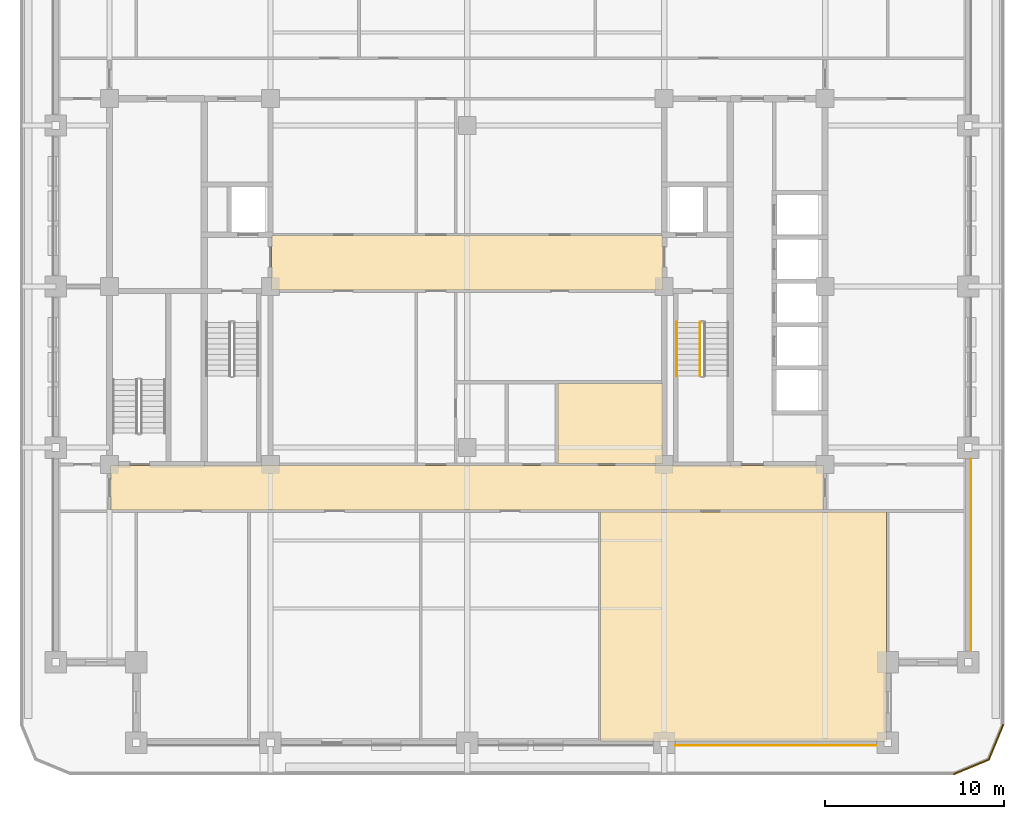
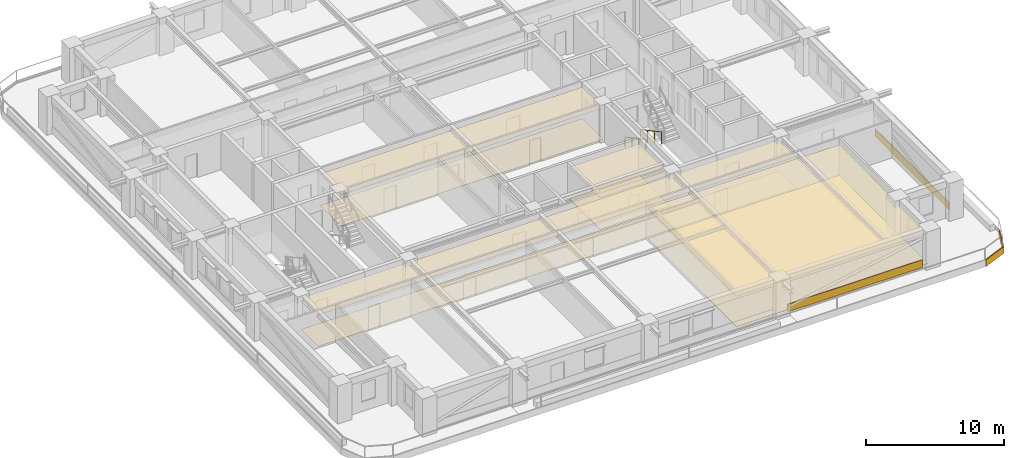
# One storey, part 11 of 13: 12 coverings, 2 railings.
"""IFC4 building model written with IfcOpenShell, lengths in metres."""

from ifc_helpers import new_model, si_unit, direction, frame, frame_2d, origin, origin_2d, place, context, subcontext, project, spatial, polyline, rectangle, outline, extrude, material, layer, layer_set, type_object, element, save


model = new_model("IFC4")

# Units and contexts
model_context = context("Model", 3, precision=1e-05, world=origin(), true_north=direction((0.0, 1.0)))
body_context = subcontext(model_context, "Body", "Model", "MODEL_VIEW")
ifc_project = project(units=[si_unit("LENGTHUNIT", "METRE"), si_unit("AREAUNIT", "SQUARE_METRE"), si_unit("VOLUMEUNIT", "CUBIC_METRE"), si_unit("PLANEANGLEUNIT", "RADIAN"), si_unit("MASSUNIT", "GRAM", prefix="KILO")], contexts=[model_context])

# Site, building, storey
site_placement = place(None, origin())
site = spatial("IfcSite", under=ifc_project, at=site_placement, CompositionType="ELEMENT")
building_placement = place(site_placement, origin())
building = spatial("IfcBuilding", under=site, at=building_placement, Name="Zulmaris Gate Convention Tower", CompositionType="ELEMENT")
storey_placement = place(building_placement, frame((0.0, 0.0, 91.35986328125)))
storey = spatial("IfcBuildingStorey", under=building, at=storey_placement, Name="L22", CompositionType="ELEMENT", Elevation=91.35986328125)

# Coverings
ifc_material_1 = material(Name="Precast concrete C40/50", Category="concrete")
ifc_layer_1 = layer(ifc_material_1, 0.0400390625, Name="Precast concrete C40/50")
ifc_layer_set_1 = layer_set([ifc_layer_1], Name="Precast concrete C40/50")
covering_type_1 = type_object("IfcCoveringType", Name="CLAD-SPANDREL-PRECAST", PredefinedType="CLADDING", material=ifc_layer_set_1)
covering_1_placement = place(storey_placement, frame((11.6298828125, -25.64990234375, 0.0), z_axis=(0.0, 0.0, 1.0), x_axis=(1.0, 0.0, 0.0)))
element("IfcCovering", 1, at=covering_1_placement, inside=storey, type_object=covering_type_1, Name="CLD-L22-S-3_0", PredefinedType="CLADDING", context=body_context, shape_type="SweptSolid", body=[
    extrude(rectangle(XDim=11.240234375, YDim=0.0400390625, at=frame_2d((5.6201171875, 0.0))), origin(), (0.0, 0.0, 1.0), 0.679931640625),
])
covering_2_placement = place(storey_placement, frame((28.14990234375, -20.3701171875, 0.0), z_axis=(0.0, 0.0, 1.0), x_axis=(0.0, 1.0, 0.0)))
element("IfcCovering", 2, at=covering_2_placement, inside=storey, type_object=covering_type_1, Name="CLD-L22-E-0_0", PredefinedType="CLADDING", context=body_context, shape_type="SweptSolid", body=[
    extrude(rectangle(XDim=10.740234375, YDim=0.0400390625, at=frame_2d((5.3701171875, 0.0))), origin(), (0.0, 0.0, 1.0), 0.679931640625),
])
ifc_material_2 = material(Name="White Glazed Architectural Precast Concrete C40/50", Category="concrete")
ifc_layer_2 = layer(ifc_material_2, 0.080078125, Name="White Glazed Architectural Precast Concrete C40/50")
ifc_layer_set_2 = layer_set([ifc_layer_2], Name="White Glazed Architectural Precast Concrete C40/50")
covering_type_2 = type_object("IfcCoveringType", Name="CLAD-TRAY-FASCIA", PredefinedType="CLADDING", material=ifc_layer_set_2)
covering_3_placement = place(storey_placement, frame((27.184814453125, -27.262939453125, -0.46484375), z_axis=(0.0, 0.0, 1.0), x_axis=(0.923873803533, 0.382697263049, 0.0)))
element("IfcCovering", 3, at=covering_3_placement, inside=storey, type_object=covering_type_2, Name="FSC-L22-TR-03", PredefinedType="CLADDING", context=body_context, shape_type="SweptSolid", body=[
    extrude(rectangle(XDim=2.142822265625, YDim=0.080078125, at=frame_2d((1.0712890625, 0.0))), origin(), (0.0, 0.0, 1.0), 0.5849609375),
])
covering_4_placement = place(storey_placement, frame((29.142822265625, -26.464599609375, -0.46484375), z_axis=(0.0, 0.0, 1.0), x_axis=(0.382656984709, 0.923890487046, 0.0)))
element("IfcCovering", 4, at=covering_4_placement, inside=storey, type_object=covering_type_2, Name="FSC-L22-TR-04", PredefinedType="CLADDING", context=body_context, shape_type="SweptSolid", body=[
    extrude(rectangle(XDim=2.14306640625, YDim=0.080078125, at=frame_2d((1.071533203125, 0.0))), origin(), (0.0, 0.0, 1.0), 0.5849609375),
])
ifc_material_3 = material(Name="Mineral Fibre Acoustic Ceiling Tile")
ifc_layer_3 = layer(ifc_material_3, 0.02001953125, Name="Mineral Fibre Acoustic Ceiling Tile")
ifc_layer_set_3 = layer_set([ifc_layer_3], Name="Mineral Fibre Acoustic Ceiling Tile")
covering_type_3 = type_object("IfcCoveringType", Name="CLG-ACOUSTIC-600", PredefinedType="CEILING", material=ifc_layer_set_3)
covering_5_placement = place(storey_placement, frame((0.0, 0.0, 2.778076171875)))
element("IfcCovering", 5, at=covering_5_placement, inside=storey, type_object=covering_type_3, Name="CLG-L22-R26", PredefinedType="CEILING", context=body_context, shape_type="SweptSolid", body=[
    extrude(outline(polyline([(-19.93994140625, -12.489990234375), (19.93994140625, -12.489990234375), (19.93994140625, -10.010009765625), (-19.93994140625, -10.010009765625), (-19.93994140625, -12.489990234375)])), origin(), (0.0, 0.0, 1.0), 0.02001953125),
])
covering_6_placement = place(storey_placement, frame((0.0, 0.0, 2.778076171875)))
element("IfcCovering", 6, at=covering_6_placement, inside=storey, type_object=covering_type_3, Name="CLG-L22-R27", PredefinedType="CEILING", context=body_context, shape_type="SweptSolid", body=[
    extrude(outline(polyline([(-10.93994140625, -0.18994140625), (10.93994140625, -0.18994140625), (10.93994140625, 2.840087890625), (-10.93994140625, 2.840087890625), (-10.93994140625, -0.18994140625)])), origin(), (0.0, 0.0, 1.0), 0.02001953125),
])
covering_7_placement = place(storey_placement, frame((0.0, 0.0, 2.679931640625)))
element("IfcCovering", 7, at=covering_7_placement, inside=storey, type_object=covering_type_3, Name="CLG-L22-R36", PredefinedType="CEILING", context=body_context, shape_type="SweptSolid", body=[
    extrude(outline(polyline([(7.4599609375, -25.43994140625), (23.43994140625, -25.43994140625), (23.43994140625, -12.610107421875), (7.4599609375, -12.610107421875), (7.4599609375, -25.43994140625)])), origin(), (0.0, 0.0, 1.0), 0.02001953125),
])
covering_8_placement = place(storey_placement, frame((0.0, 0.0, 2.778076171875)))
element("IfcCovering", 8, at=covering_8_placement, inside=storey, type_object=covering_type_3, Name="CLG-L22-R43", PredefinedType="CEILING", context=body_context, shape_type="SweptSolid", body=[
    extrude(outline(polyline([(5.06005859375, -9.889892578125), (10.93994140625, -9.889892578125), (10.93994140625, -5.409912109375), (5.06005859375, -5.409912109375), (5.06005859375, -9.889892578125)])), origin(), (0.0, 0.0, 1.0), 0.02001953125),
])
ifc_material_4 = material(Name="Woven Acoustic Wool Carpet Tile")
ifc_layer_4 = layer(ifc_material_4, 0.02001953125, Name="Woven Acoustic Wool Carpet Tile")
ifc_layer_set_4 = layer_set([ifc_layer_4], Name="Woven Acoustic Wool Carpet Tile")
covering_type_4 = type_object("IfcCoveringType", Name="FLR-CARPET-12", PredefinedType="FLOORING", material=ifc_layer_set_4)
covering_9_placement = place(storey_placement, origin())
element("IfcCovering", 9, at=covering_9_placement, inside=storey, type_object=covering_type_4, Name="FLR-L22-R26", PredefinedType="FLOORING", context=body_context, shape_type="SweptSolid", body=[
    extrude(outline(polyline([(-19.93994140625, -12.489990234375), (19.93994140625, -12.489990234375), (19.93994140625, -10.010009765625), (-19.93994140625, -10.010009765625), (-19.93994140625, -12.489990234375)])), origin(), (0.0, 0.0, 1.0), 0.02001953125),
])
covering_10_placement = place(storey_placement, origin())
element("IfcCovering", 10, at=covering_10_placement, inside=storey, type_object=covering_type_4, Name="FLR-L22-R27", PredefinedType="FLOORING", context=body_context, shape_type="SweptSolid", body=[
    extrude(outline(polyline([(-10.93994140625, -0.18994140625), (10.93994140625, -0.18994140625), (10.93994140625, 2.840087890625), (-10.93994140625, 2.840087890625), (-10.93994140625, -0.18994140625)])), origin(), (0.0, 0.0, 1.0), 0.02001953125),
])
covering_11_placement = place(storey_placement, origin())
element("IfcCovering", 11, at=covering_11_placement, inside=storey, type_object=covering_type_4, Name="FLR-L22-R36", PredefinedType="FLOORING", context=body_context, shape_type="SweptSolid", body=[
    extrude(outline(polyline([(7.4599609375, -25.43994140625), (23.43994140625, -25.43994140625), (23.43994140625, -12.610107421875), (7.4599609375, -12.610107421875), (7.4599609375, -25.43994140625)])), origin(), (0.0, 0.0, 1.0), 0.02001953125),
])
covering_12_placement = place(storey_placement, origin())
element("IfcCovering", 12, at=covering_12_placement, inside=storey, type_object=covering_type_4, Name="FLR-L22-R43", PredefinedType="FLOORING", context=body_context, shape_type="SweptSolid", body=[
    extrude(outline(polyline([(5.06005859375, -9.889892578125), (10.93994140625, -9.889892578125), (10.93994140625, -5.409912109375), (5.06005859375, -5.409912109375), (5.06005859375, -9.889892578125)])), origin(), (0.0, 0.0, 1.0), 0.02001953125),
])

# Railings
ifc_material_5 = material(Name="Painted Galvanised Steel", Category="steel")
railing_type_1 = type_object("IfcRailingType", Name="RL-STG-1150", PredefinedType="GUARDRAIL", material=ifc_material_5)
railing_1_placement = place(storey_placement, frame((13.010009765625, -2.0, 0.162353515625)))
element("IfcRailing", 13, at=railing_1_placement, inside=storey, type_object=railing_type_1, Name="L22 ST-2 stair guard 1", PredefinedType="GUARDRAIL", context=body_context, shape_type="SweptSolid", body=[
    extrude(rectangle(XDim=0.048095703125, YDim=0.048095703125, at=origin_2d()), frame((0.0, 0.0, 1.076171875), z_axis=(0.0, -0.8795616155, 0.475784998228), x_axis=(1.0, 0.0, 0.0)), (0.0, 0.0, 1.0), 3.410888671875),
    extrude(rectangle(XDim=0.0419921875, YDim=0.0419921875, at=origin_2d()), origin(), (0.0, 0.0, 1.0), 1.052001953125),
    extrude(rectangle(XDim=0.0419921875, YDim=0.0419921875, at=origin_2d()), frame((0.0, -1.0, 0.541015625)), (0.0, 0.0, 1.0), 1.052001953125),
    extrude(rectangle(XDim=0.0419921875, YDim=0.0419921875, at=origin_2d()), frame((0.0, -2.0, 1.081787109375)), (0.0, 0.0, 1.0), 1.052001953125),
    extrude(rectangle(XDim=0.0419921875, YDim=0.0419921875, at=origin_2d()), frame((0.0, -3.0, 1.622802734375)), (0.0, 0.0, 1.0), 1.052001953125),
])
ifc_material_6 = material(Name="Brushed Stainless Steel", Category="steel")
railing_type_2 = type_object("IfcRailingType", Name="RL-STH-900", PredefinedType="HANDRAIL", material=ifc_material_6)
railing_2_placement = place(storey_placement, frame((11.7099609375, -2.0, 0.162353515625)))
element("IfcRailing", 14, at=railing_2_placement, inside=storey, type_object=railing_type_2, Name="L22 ST-2 stair handrail 1", PredefinedType="HANDRAIL", context=body_context, shape_type="SweptSolid", body=[
    extrude(rectangle(XDim=0.048095703125, YDim=0.048095703125, at=origin_2d()), frame((0.0, 0.0, 0.8759765625), z_axis=(0.0, -0.8795616155, 0.475784998228), x_axis=(1.0, 0.0, 0.0)), (0.0, 0.0, 1.0), 3.410888671875),
    extrude(rectangle(XDim=0.0419921875, YDim=0.0419921875, at=origin_2d()), origin(), (0.0, 0.0, 1.0), 0.851806640625),
    extrude(rectangle(XDim=0.0419921875, YDim=0.0419921875, at=origin_2d()), frame((0.0, -1.0, 0.541015625)), (0.0, 0.0, 1.0), 0.851806640625),
    extrude(rectangle(XDim=0.0419921875, YDim=0.0419921875, at=origin_2d()), frame((0.0, -2.0, 1.081787109375)), (0.0, 0.0, 1.0), 0.851806640625),
    extrude(rectangle(XDim=0.0419921875, YDim=0.0419921875, at=origin_2d()), frame((0.0, -3.0, 1.622802734375)), (0.0, 0.0, 1.0), 0.851806640625),
])

save(model, "model.ifc")
